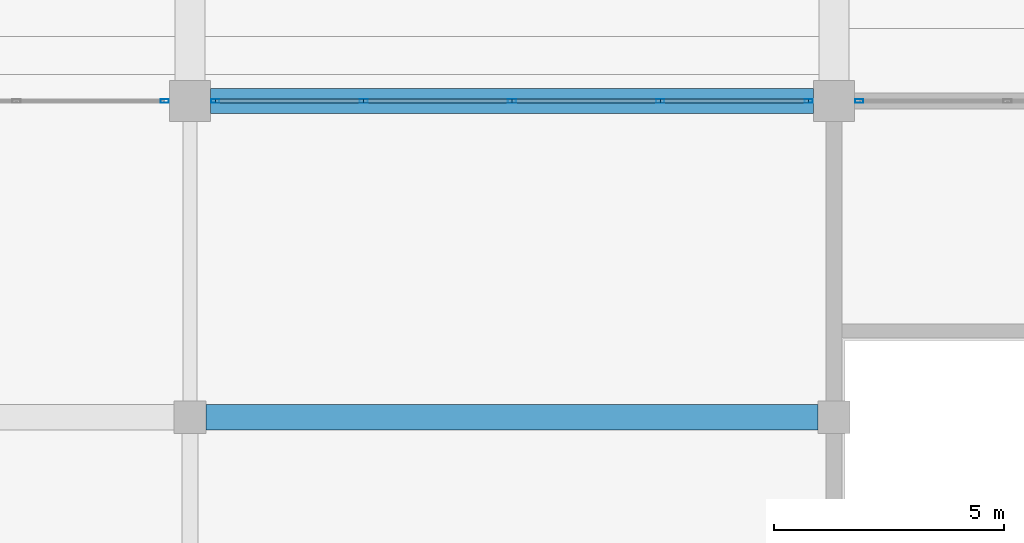
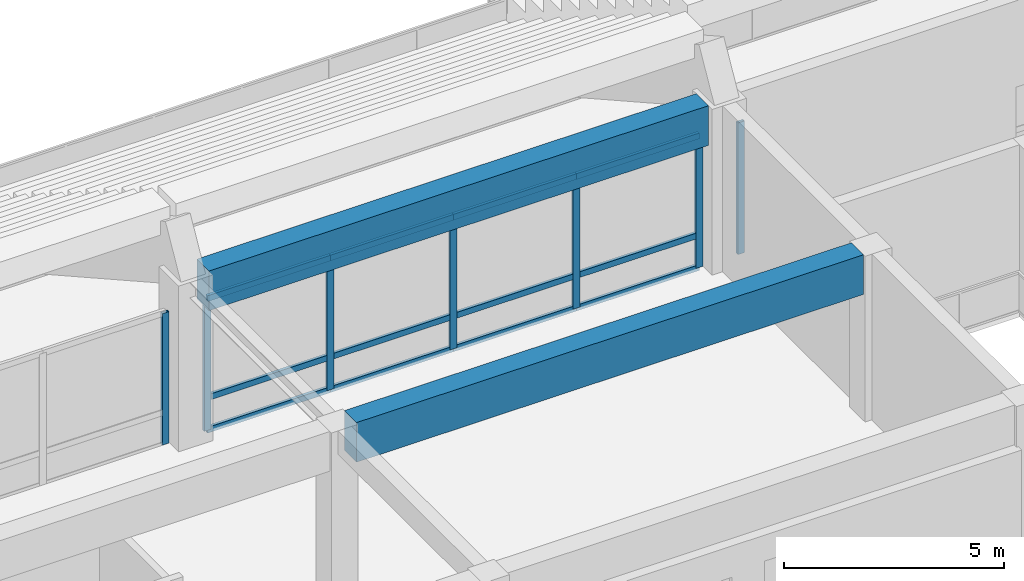
# One storey, part 22 of 94: 19 members, 2 beams, 3 elements without a shape of their own.
"""IFC4 building model written with IfcOpenShell, lengths in metres."""

from ifc_helpers import new_model, si_unit, direction, frame, origin, origin_2d, place, context, subcontext, project, spatial, rectangle, hollow_rectangle, extrude, material, material_profile, profile_set, type_object, element, aggregate, save


model = new_model("IFC4")

# Units and contexts
model_context = context("Model", 3, precision=1e-05, world=origin(), true_north=direction((0.0, 1.0)))
body_context = subcontext(model_context, "Body", "Model", "MODEL_VIEW")
ifc_project = project(units=[si_unit("LENGTHUNIT", "METRE"), si_unit("AREAUNIT", "SQUARE_METRE"), si_unit("VOLUMEUNIT", "CUBIC_METRE"), si_unit("PLANEANGLEUNIT", "RADIAN"), si_unit("MASSUNIT", "GRAM", prefix="KILO")], contexts=[model_context])

# Site, building, storey
site_placement = place(None, origin())
site = spatial("IfcSite", under=ifc_project, at=site_placement, CompositionType="ELEMENT")
building_placement = place(site_placement, origin())
building = spatial("IfcBuilding", under=site, at=building_placement, Name="Linyun Crest Stadium", CompositionType="ELEMENT")
storey_placement = place(building_placement, frame((0.0, 0.0, 16.199951171875)))
storey = spatial("IfcBuildingStorey", under=building, at=storey_placement, Name="L04", CompositionType="ELEMENT", Elevation=16.199951171875)

# Curtain wall, member
ifc_material_1 = material(Name="Verdigris steel and low-E curtain wall assembly", Category="steel")
curtain_wall_type = type_object("IfcCurtainWallType", Name="MCW01", PredefinedType="NOTDEFINED", material=ifc_material_1)
curtain_wall_1_placement = place(storey_placement, origin())
curtain_wall_1 = element("IfcCurtainWall", 1, at=curtain_wall_1_placement, inside=storey, type_object=curtain_wall_type, Name="CWR-140", PredefinedType="NOTDEFINED")
ifc_material_2 = material(Name="Verdigris painted steel Q355B mullion", Category="steel")
ifc_material_profile_1 = material_profile(ifc_material_2, hollow_rectangle(XDim=0.080078125, YDim=0.179931640625, WallThickness=0.006103515625, at=origin_2d()), Name="RHS 180x80x6")
ifc_profile_set_1 = profile_set([ifc_material_profile_1], Name="Verdigris painted steel Q355B mullion")
member_type_1 = type_object("IfcMemberType", Name="ML02", PredefinedType="MULLION", material=ifc_profile_set_1)
member_1_placement = place(storey_placement, frame((-0.550048828125, -73.5, 0.0), z_axis=(0.0, 0.0, 1.0), x_axis=(0.0, 1.0, 0.0)))
member_1 = element("IfcMember", 2, at=member_1_placement, type_object=member_type_1, Name="CWR-140 mullion 5", PredefinedType="MULLION", context=body_context, shape_type="SweptSolid", body=[
    extrude(hollow_rectangle(XDim=0.080078125, YDim=0.179931640625, WallThickness=0.006103515625, at=origin_2d()), origin(), (0.0, 0.0, 1.0), 3.650146484375),
])
aggregate(curtain_wall_1, [member_1])

# Curtain wall, members
curtain_wall_2_placement = place(storey_placement, origin())
curtain_wall_2 = element("IfcCurtainWall", 3, at=curtain_wall_2_placement, inside=storey, type_object=curtain_wall_type, Name="CWR-147", PredefinedType="NOTDEFINED")
member_2_placement = place(storey_placement, frame((0.550048828125, -73.5, 0.0), z_axis=(0.0, 0.0, 1.0), x_axis=(0.0, 1.0, 0.0)))
member_2 = element("IfcMember", 4, at=member_2_placement, type_object=member_type_1, Name="CWR-147 mullion 1", PredefinedType="MULLION", context=body_context, shape_type="SweptSolid", body=[
    extrude(hollow_rectangle(XDim=0.080078125, YDim=0.179931640625, WallThickness=0.006103515625, at=origin_2d()), origin(), (0.0, 0.0, 1.0), 3.650146484375),
])
member_3_placement = place(storey_placement, frame((3.77490234375, -73.5, 0.0), z_axis=(0.0, 0.0, 1.0), x_axis=(0.0, 1.0, 0.0)))
member_3 = element("IfcMember", 5, at=member_3_placement, type_object=member_type_1, Name="CWR-147 mullion 2", PredefinedType="MULLION", context=body_context, shape_type="SweptSolid", body=[
    extrude(hollow_rectangle(XDim=0.080078125, YDim=0.179931640625, WallThickness=0.006103515625, at=origin_2d()), origin(), (0.0, 0.0, 1.0), 3.650146484375),
])
member_4_placement = place(storey_placement, frame((7.0, -73.5, 0.0), z_axis=(0.0, 0.0, 1.0), x_axis=(0.0, 1.0, 0.0)))
member_4 = element("IfcMember", 6, at=member_4_placement, type_object=member_type_1, Name="CWR-147 mullion 3", PredefinedType="MULLION", context=body_context, shape_type="SweptSolid", body=[
    extrude(hollow_rectangle(XDim=0.080078125, YDim=0.179931640625, WallThickness=0.006103515625, at=origin_2d()), origin(), (0.0, 0.0, 1.0), 3.650146484375),
])
member_5_placement = place(storey_placement, frame((10.22509765625, -73.5, 0.0), z_axis=(0.0, 0.0, 1.0), x_axis=(0.0, 1.0, 0.0)))
member_5 = element("IfcMember", 7, at=member_5_placement, type_object=member_type_1, Name="CWR-147 mullion 4", PredefinedType="MULLION", context=body_context, shape_type="SweptSolid", body=[
    extrude(hollow_rectangle(XDim=0.080078125, YDim=0.179931640625, WallThickness=0.006103515625, at=origin_2d()), origin(), (0.0, 0.0, 1.0), 3.650146484375),
])
member_6_placement = place(storey_placement, frame((13.449951171875, -73.5, 0.0), z_axis=(0.0, 0.0, 1.0), x_axis=(0.0, 1.0, 0.0)))
member_6 = element("IfcMember", 8, at=member_6_placement, type_object=member_type_1, Name="CWR-147 mullion 5", PredefinedType="MULLION", context=body_context, shape_type="SweptSolid", body=[
    extrude(hollow_rectangle(XDim=0.080078125, YDim=0.179931640625, WallThickness=0.006103515625, at=origin_2d()), origin(), (0.0, 0.0, 1.0), 3.650146484375),
])

# Curtain wall, member
curtain_wall_3_placement = place(storey_placement, origin())
curtain_wall_3 = element("IfcCurtainWall", 9, at=curtain_wall_3_placement, inside=storey, type_object=curtain_wall_type, Name="CWR-154", PredefinedType="NOTDEFINED")
member_7_placement = place(storey_placement, frame((14.550048828125, -73.5, 0.0), z_axis=(0.0, 0.0, 1.0), x_axis=(0.0, 1.0, 0.0)))
member_7 = element("IfcMember", 10, at=member_7_placement, type_object=member_type_1, Name="CWR-154 mullion 1", PredefinedType="MULLION", context=body_context, shape_type="SweptSolid", body=[
    extrude(hollow_rectangle(XDim=0.080078125, YDim=0.179931640625, WallThickness=0.006103515625, at=origin_2d()), origin(), (0.0, 0.0, 1.0), 3.650146484375),
])
aggregate(curtain_wall_3, [member_7])

# Beams
ifc_material_3 = material(Name="Concrete C50", Category="concrete")
ifc_material_profile_2 = material_profile(ifc_material_3, rectangle(XDim=0.550048828125, YDim=1.10009765625, at=origin_2d()), Name="RCB 1100x550")
ifc_profile_set_2 = profile_set([ifc_material_profile_2], Name="Concrete C50")
beam_type = type_object("IfcBeamType", Name="TB01", PredefinedType="USERDEFINED", material=ifc_profile_set_2)
beam_1_placement = place(storey_placement, frame((0.35009765625, -80.375, 4.045166015625), z_axis=(1.0, 0.0, 0.0), x_axis=(0.0, 1.0, 0.0)))
element("IfcBeam", 11, at=beam_1_placement, inside=storey, type_object=beam_type, Name="Frame beam TB01 L04 943", ObjectType="GIRDER", PredefinedType="USERDEFINED", context=body_context, shape_type="SweptSolid", body=[
    extrude(rectangle(XDim=0.550048828125, YDim=1.10009765625, at=origin_2d()), origin(), (0.0, 0.0, 1.0), 13.2998046875),
])
beam_2_placement = place(storey_placement, frame((0.449951171875, -73.5, 4.045166015625), z_axis=(1.0, 0.0, 0.0), x_axis=(0.0, 1.0, 0.0)))
element("IfcBeam", 12, at=beam_2_placement, inside=storey, type_object=beam_type, Name="Frame beam TB01 L04 944", ObjectType="GIRDER", PredefinedType="USERDEFINED", context=body_context, shape_type="SweptSolid", body=[
    extrude(rectangle(XDim=0.550048828125, YDim=1.10009765625, at=origin_2d()), origin(), (0.0, 0.0, 1.0), 13.10009765625),
])

# Member
ifc_material_4 = material(Name="Aluminium thermally broken transom", Category="aluminium")
ifc_material_profile_3 = material_profile(ifc_material_4, hollow_rectangle(XDim=0.080078125, YDim=0.159912109375, WallThickness=0.006103515625, at=origin_2d()), Name="RHS 160x80x6")
ifc_profile_set_3 = profile_set([ifc_material_profile_3], Name="Aluminium thermally broken transom")
member_type_2 = type_object("IfcMemberType", Name="TR01", PredefinedType="USERDEFINED", material=ifc_profile_set_3)
member_8_placement = place(storey_placement, frame((0.550048828125, -73.5, 0.0), z_axis=(1.0, 0.0, 0.0), x_axis=(0.0, 1.0, 0.0)))
member_8 = element("IfcMember", 13, at=member_8_placement, type_object=member_type_2, Name="CWR-147 transom 1.1", ObjectType="TRANSOM", PredefinedType="USERDEFINED", context=body_context, shape_type="SweptSolid", body=[
    extrude(hollow_rectangle(XDim=0.080078125, YDim=0.159912109375, WallThickness=0.006103515625, at=origin_2d()), origin(), (0.0, 0.0, 1.0), 3.224853515625),
])

member_9_placement = place(storey_placement, frame((0.550048828125, -73.5, 0.900146484375), z_axis=(1.0, 0.0, 0.0), x_axis=(0.0, 1.0, 0.0)))
member_9 = element("IfcMember", 14, at=member_9_placement, type_object=member_type_2, Name="CWR-147 transom 1.2", ObjectType="TRANSOM", PredefinedType="USERDEFINED", context=body_context, shape_type="SweptSolid", body=[
    extrude(hollow_rectangle(XDim=0.080078125, YDim=0.159912109375, WallThickness=0.006103515625, at=origin_2d()), origin(), (0.0, 0.0, 1.0), 3.224853515625),
])

member_10_placement = place(storey_placement, frame((0.550048828125, -73.5, 3.650146484375), z_axis=(1.0, 0.0, 0.0), x_axis=(0.0, 1.0, 0.0)))
member_10 = element("IfcMember", 15, at=member_10_placement, type_object=member_type_2, Name="CWR-147 transom 1.3", ObjectType="TRANSOM", PredefinedType="USERDEFINED", context=body_context, shape_type="SweptSolid", body=[
    extrude(hollow_rectangle(XDim=0.080078125, YDim=0.159912109375, WallThickness=0.006103515625, at=origin_2d()), origin(), (0.0, 0.0, 1.0), 3.224853515625),
])

member_11_placement = place(storey_placement, frame((3.77490234375, -73.5, 0.0), z_axis=(1.0, 0.0, 0.0), x_axis=(0.0, 1.0, 0.0)))
member_11 = element("IfcMember", 16, at=member_11_placement, type_object=member_type_2, Name="CWR-147 transom 2.1", ObjectType="TRANSOM", PredefinedType="USERDEFINED", context=body_context, shape_type="SweptSolid", body=[
    extrude(hollow_rectangle(XDim=0.080078125, YDim=0.159912109375, WallThickness=0.006103515625, at=origin_2d()), origin(), (0.0, 0.0, 1.0), 3.22509765625),
])

member_12_placement = place(storey_placement, frame((3.77490234375, -73.5, 0.900146484375), z_axis=(1.0, 0.0, 0.0), x_axis=(0.0, 1.0, 0.0)))
member_12 = element("IfcMember", 17, at=member_12_placement, type_object=member_type_2, Name="CWR-147 transom 2.2", ObjectType="TRANSOM", PredefinedType="USERDEFINED", context=body_context, shape_type="SweptSolid", body=[
    extrude(hollow_rectangle(XDim=0.080078125, YDim=0.159912109375, WallThickness=0.006103515625, at=origin_2d()), origin(), (0.0, 0.0, 1.0), 3.22509765625),
])

member_13_placement = place(storey_placement, frame((3.77490234375, -73.5, 3.650146484375), z_axis=(1.0, 0.0, 0.0), x_axis=(0.0, 1.0, 0.0)))
member_13 = element("IfcMember", 18, at=member_13_placement, type_object=member_type_2, Name="CWR-147 transom 2.3", ObjectType="TRANSOM", PredefinedType="USERDEFINED", context=body_context, shape_type="SweptSolid", body=[
    extrude(hollow_rectangle(XDim=0.080078125, YDim=0.159912109375, WallThickness=0.006103515625, at=origin_2d()), origin(), (0.0, 0.0, 1.0), 3.22509765625),
])

member_14_placement = place(storey_placement, frame((7.0, -73.5, 0.0), z_axis=(1.0, 0.0, 0.0), x_axis=(0.0, 1.0, 0.0)))
member_14 = element("IfcMember", 19, at=member_14_placement, type_object=member_type_2, Name="CWR-147 transom 3.1", ObjectType="TRANSOM", PredefinedType="USERDEFINED", context=body_context, shape_type="SweptSolid", body=[
    extrude(hollow_rectangle(XDim=0.080078125, YDim=0.159912109375, WallThickness=0.006103515625, at=origin_2d()), origin(), (0.0, 0.0, 1.0), 3.22509765625),
])

member_15_placement = place(storey_placement, frame((7.0, -73.5, 0.900146484375), z_axis=(1.0, 0.0, 0.0), x_axis=(0.0, 1.0, 0.0)))
member_15 = element("IfcMember", 20, at=member_15_placement, type_object=member_type_2, Name="CWR-147 transom 3.2", ObjectType="TRANSOM", PredefinedType="USERDEFINED", context=body_context, shape_type="SweptSolid", body=[
    extrude(hollow_rectangle(XDim=0.080078125, YDim=0.159912109375, WallThickness=0.006103515625, at=origin_2d()), origin(), (0.0, 0.0, 1.0), 3.22509765625),
])

member_16_placement = place(storey_placement, frame((7.0, -73.5, 3.650146484375), z_axis=(1.0, 0.0, 0.0), x_axis=(0.0, 1.0, 0.0)))
member_16 = element("IfcMember", 21, at=member_16_placement, type_object=member_type_2, Name="CWR-147 transom 3.3", ObjectType="TRANSOM", PredefinedType="USERDEFINED", context=body_context, shape_type="SweptSolid", body=[
    extrude(hollow_rectangle(XDim=0.080078125, YDim=0.159912109375, WallThickness=0.006103515625, at=origin_2d()), origin(), (0.0, 0.0, 1.0), 3.22509765625),
])

member_17_placement = place(storey_placement, frame((10.22509765625, -73.5, 0.0), z_axis=(1.0, 0.0, 0.0), x_axis=(0.0, 1.0, 0.0)))
member_17 = element("IfcMember", 22, at=member_17_placement, type_object=member_type_2, Name="CWR-147 transom 4.1", ObjectType="TRANSOM", PredefinedType="USERDEFINED", context=body_context, shape_type="SweptSolid", body=[
    extrude(hollow_rectangle(XDim=0.080078125, YDim=0.159912109375, WallThickness=0.006103515625, at=origin_2d()), origin(), (0.0, 0.0, 1.0), 3.224853515625),
])

member_18_placement = place(storey_placement, frame((10.22509765625, -73.5, 0.900146484375), z_axis=(1.0, 0.0, 0.0), x_axis=(0.0, 1.0, 0.0)))
member_18 = element("IfcMember", 23, at=member_18_placement, type_object=member_type_2, Name="CWR-147 transom 4.2", ObjectType="TRANSOM", PredefinedType="USERDEFINED", context=body_context, shape_type="SweptSolid", body=[
    extrude(hollow_rectangle(XDim=0.080078125, YDim=0.159912109375, WallThickness=0.006103515625, at=origin_2d()), origin(), (0.0, 0.0, 1.0), 3.224853515625),
])

member_19_placement = place(storey_placement, frame((10.22509765625, -73.5, 3.650146484375), z_axis=(1.0, 0.0, 0.0), x_axis=(0.0, 1.0, 0.0)))
member_19 = element("IfcMember", 24, at=member_19_placement, type_object=member_type_2, Name="CWR-147 transom 4.3", ObjectType="TRANSOM", PredefinedType="USERDEFINED", context=body_context, shape_type="SweptSolid", body=[
    extrude(hollow_rectangle(XDim=0.080078125, YDim=0.159912109375, WallThickness=0.006103515625, at=origin_2d()), origin(), (0.0, 0.0, 1.0), 3.224853515625),
])

aggregate(curtain_wall_2, [member_2, member_3, member_4, member_5, member_6, member_8, member_9, member_10, member_11, member_12, member_13, member_14, member_15, member_16, member_17, member_18, member_19])

save(model, "model.ifc")
